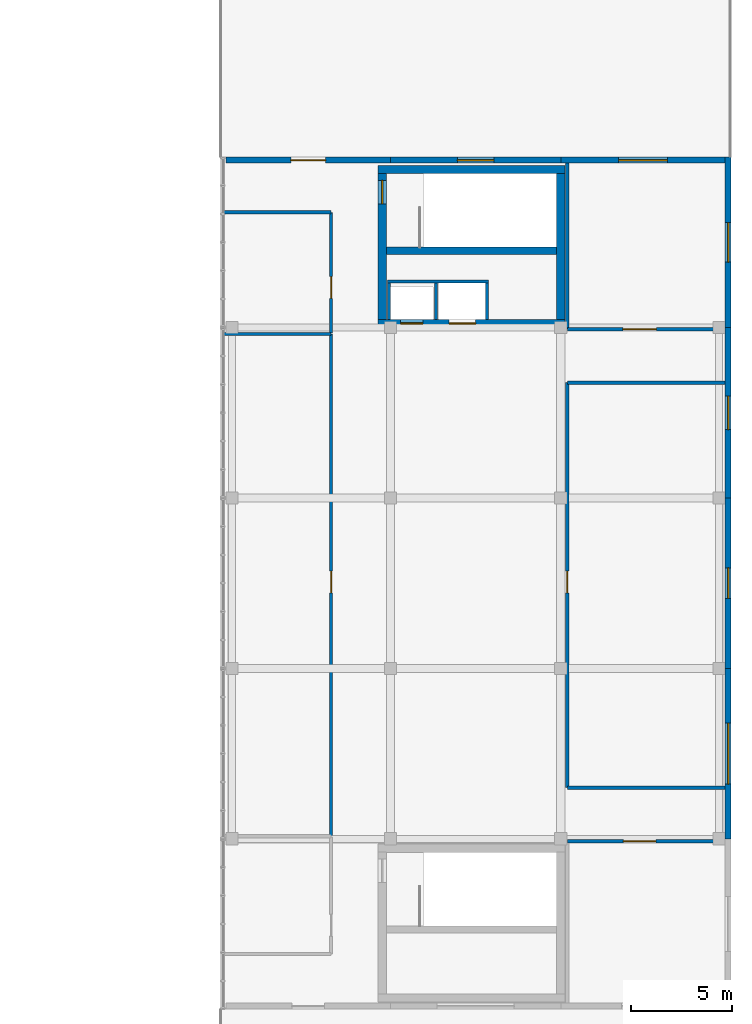
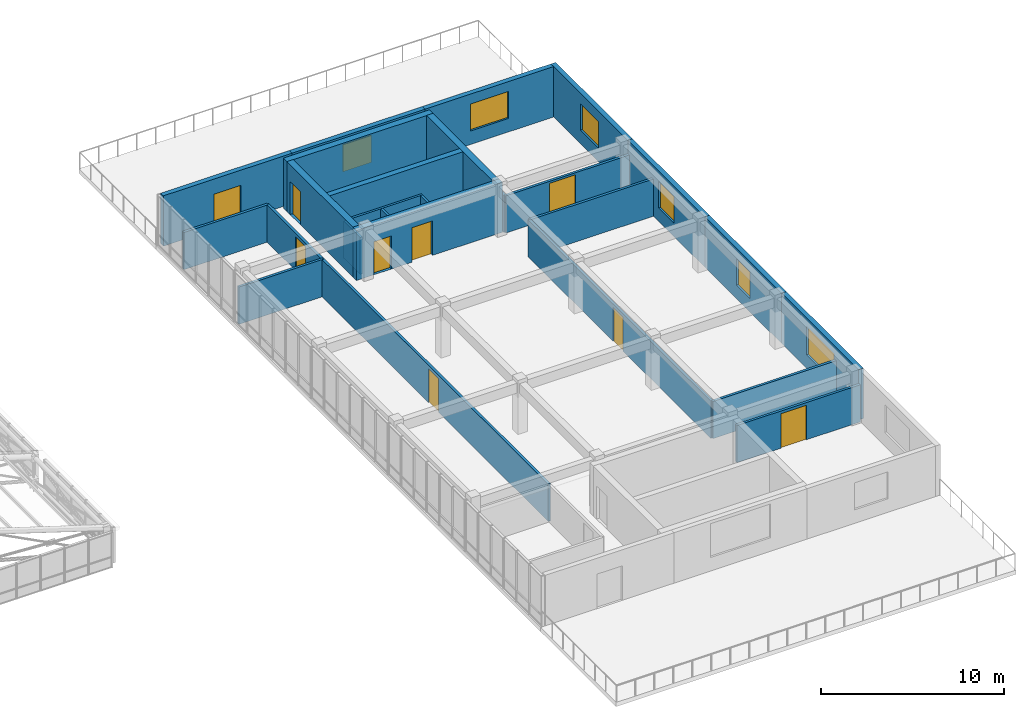
# One storey, part 140 of 144: 26 walls, 9 doors, 6 windows, 15 openings.
"""IFC4 building model written with IfcOpenShell, lengths in metres."""

from ifc_helpers import new_model, si_unit, direction, frame, frame_2d, origin, place, context, subcontext, project, spatial, rectangle, extrude, material, layer, layer_set, type_object, element, fill, save


model = new_model("IFC4")

# Units and contexts
model_context = context("Model", 3, precision=1e-05, world=origin(), true_north=direction((0.0, 1.0)))
body_context = subcontext(model_context, "Body", "Model", "MODEL_VIEW")
ifc_project = project(units=[si_unit("LENGTHUNIT", "METRE"), si_unit("AREAUNIT", "SQUARE_METRE"), si_unit("VOLUMEUNIT", "CUBIC_METRE"), si_unit("PLANEANGLEUNIT", "RADIAN"), si_unit("MASSUNIT", "GRAM", prefix="KILO")], contexts=[model_context])

# Site, building, storey
site_placement = place(None, origin())
site = spatial("IfcSite", under=ifc_project, at=site_placement, CompositionType="ELEMENT")
building_placement = place(site_placement, origin())
building = spatial("IfcBuilding", under=site, at=building_placement, Name="Zayran Congress Hotel", CompositionType="ELEMENT")
storey_placement = place(building_placement, frame((0.0, 0.0, 19.199951171875)))
storey = spatial("IfcBuildingStorey", under=building, at=storey_placement, Name="L04", CompositionType="ELEMENT", Elevation=19.199951171875)

# Wall, opening, door
ifc_material_1 = material(Name="Ajlun white limestone and insulated concrete C32/40", Category="masonry")
ifc_layer_1 = layer(ifc_material_1, 0.300048828125)
ifc_layer_set_1 = layer_set([ifc_layer_1], Name="Ajlun white limestone and insulated concrete C32/40")
wall_type_1 = type_object("IfcWallType", Name="WL-EX-300", PredefinedType="SOLIDWALL", material=ifc_layer_set_1)
wall_1_placement = place(storey_placement, frame((109.5, 92.64990234375, 0.0), z_axis=(0.0, 0.0, 1.0), x_axis=(1.0, 0.0, 0.0)))
wall_1 = element("IfcWall", 1, at=wall_1_placement, inside=storey, type_object=wall_type_1, Name="EW-V4-N-L04-0", PredefinedType="SOLIDWALL", context=body_context, shape_type="SweptSolid", body=[
    extrude(rectangle(XDim=8.10009765625, YDim=0.300048828125, at=frame_2d((4.050048828125, 0.0))), origin(), (0.0, 0.0, 1.0), 3.360107421875),
])
opening_1_placement = place(wall_1_placement, frame((3.18994140625, 0.0, 0.0)))
opening_1 = element("IfcOpeningElement", 2, at=opening_1_placement, cuts=wall_1, Name="Opening DEX-07", PredefinedType="OPENING", context=body_context, shape_type="SweptSolid", body=[
    extrude(rectangle(XDim=1.719970703125, YDim=2.35009765625, at=frame_2d((0.85986328125, 1.175048828125))), frame((0.0, 0.159912109375, 0.0), z_axis=(0.0, -1.0, 0.0), x_axis=(1.0, 0.0, 0.0)), (0.0, 0.0, 1.0), 0.320068359375),
])
ifc_material_2 = material(Name="Anodised aluminium garden terrace door", Category="aluminium")
door_type_1 = type_object("IfcDoorType", Name="TP-DEX-07", OperationType="DOUBLE_DOOR_SINGLE_SWING", PredefinedType="DOOR", material=ifc_material_2)
door_1_placement = place(opening_1_placement, origin())
door_1 = element("IfcDoor", 3, at=door_1_placement, inside=storey, type_object=door_type_1, Name="V4 L04 N Terrace Access Door", OperationType="DOUBLE_DOOR_SINGLE_SWING", OverallHeight=2.35009765625, OverallWidth=1.719970703125, PredefinedType="DOOR", context=body_context, shape_type="SweptSolid", body=[
    extrude(rectangle(XDim=1.719970703125, YDim=2.35009765625, at=frame_2d((0.85986328125, 1.175048828125))), frame((0.0, 0.02490234375, 0.0), z_axis=(0.0, -1.0, 0.0), x_axis=(1.0, 0.0, 0.0)), (0.0, 0.0, 1.0), 0.050048828125),
])
fill(opening_1, door_1)

# Wall, opening, window
wall_2_placement = place(storey_placement, frame((117.60009765625, 92.64990234375, 0.0), z_axis=(0.0, 0.0, 1.0), x_axis=(1.0, 0.0, 0.0)))
wall_2 = element("IfcWall", 4, at=wall_2_placement, inside=storey, type_object=wall_type_1, Name="EW-V4-N-L04-1", PredefinedType="SOLIDWALL", context=body_context, shape_type="SweptSolid", body=[
    extrude(rectangle(XDim=8.39990234375, YDim=0.300048828125, at=frame_2d((4.199951171875, 0.0))), origin(), (0.0, 0.0, 1.0), 3.360107421875),
])
opening_2_placement = place(wall_2_placement, frame((3.300048828125, 0.0, 0.89990234375)))
opening_2 = element("IfcOpeningElement", 5, at=opening_2_placement, cuts=wall_2, Name="Opening WN-01", PredefinedType="OPENING", context=body_context, shape_type="SweptSolid", body=[
    extrude(rectangle(XDim=1.800048828125, YDim=1.800048828125, at=frame_2d((0.89990234375, 0.89990234375))), frame((0.0, 0.159912109375, 0.0), z_axis=(0.0, -1.0, 0.0), x_axis=(1.0, 0.0, 0.0)), (0.0, 0.0, 1.0), 0.320068359375),
])
ifc_material_3 = material(Name="Anodised aluminium and low-E insulated glass", Category="aluminium")
window_type_1 = type_object("IfcWindowType", Name="TP-WN-01", PartitioningType="SINGLE_PANEL", PredefinedType="WINDOW", material=ifc_material_3)
window_1_placement = place(opening_2_placement, origin())
window_1 = element("IfcWindow", 6, at=window_1_placement, inside=storey, type_object=window_type_1, Name="WIN-V4-0163", OverallHeight=1.800048828125, OverallWidth=1.800048828125, PartitioningType="SINGLE_PANEL", PredefinedType="WINDOW", context=body_context, shape_type="SweptSolid", body=[
    extrude(rectangle(XDim=1.800048828125, YDim=1.800048828125, at=frame_2d((0.89990234375, 0.89990234375))), frame((0.0, 0.030029296875, 0.0), z_axis=(0.0, -1.0, 0.0), x_axis=(1.0, 0.0, 0.0)), (0.0, 0.0, 1.0), 0.06005859375),
])
fill(opening_2, window_1)

wall_3_placement = place(storey_placement, frame((126.0, 92.64990234375, 0.0), z_axis=(0.0, 0.0, 1.0), x_axis=(1.0, 0.0, 0.0)))
wall_3 = element("IfcWall", 7, at=wall_3_placement, inside=storey, type_object=wall_type_1, Name="EW-V4-N-L04-2", PredefinedType="SOLIDWALL", context=body_context, shape_type="SweptSolid", body=[
    extrude(rectangle(XDim=8.10009765625, YDim=0.300048828125, at=frame_2d((4.050048828125, 0.0))), origin(), (0.0, 0.0, 1.0), 3.360107421875),
])
opening_3_placement = place(wall_3_placement, frame((2.85009765625, 0.0, 0.89990234375)))
opening_3 = element("IfcOpeningElement", 8, at=opening_3_placement, cuts=wall_3, Name="Opening WN-03", PredefinedType="OPENING", context=body_context, shape_type="SweptSolid", body=[
    extrude(rectangle(XDim=2.39990234375, YDim=1.800048828125, at=frame_2d((1.199951171875, 0.89990234375))), frame((0.0, 0.159912109375, 0.0), z_axis=(0.0, -1.0, 0.0), x_axis=(1.0, 0.0, 0.0)), (0.0, 0.0, 1.0), 0.320068359375),
])
window_type_2 = type_object("IfcWindowType", Name="TP-WN-03", PartitioningType="DOUBLE_PANEL_VERTICAL", PredefinedType="WINDOW", material=ifc_material_3)
window_2_placement = place(opening_3_placement, origin())
window_2 = element("IfcWindow", 9, at=window_2_placement, inside=storey, type_object=window_type_2, Name="WIN-V4-0165", OverallHeight=1.800048828125, OverallWidth=2.39990234375, PartitioningType="SINGLE_PANEL", PredefinedType="WINDOW", context=body_context, shape_type="SweptSolid", body=[
    extrude(rectangle(XDim=2.39990234375, YDim=1.800048828125, at=frame_2d((1.199951171875, 0.89990234375))), frame((0.0, 0.030029296875, 0.0), z_axis=(0.0, -1.0, 0.0), x_axis=(1.0, 0.0, 0.0)), (0.0, 0.0, 1.0), 0.06005859375),
])
fill(opening_3, window_2)

wall_4_placement = place(storey_placement, frame((134.25, 67.60009765625, 0.0), z_axis=(0.0, 0.0, 1.0), x_axis=(0.0, -1.0, 0.0)))
wall_4 = element("IfcWall", 10, at=wall_4_placement, inside=storey, type_object=wall_type_1, Name="EW-V4-E-L04-1", PredefinedType="SOLIDWALL", context=body_context, shape_type="SweptSolid", body=[
    extrude(rectangle(XDim=8.400146484375, YDim=0.300048828125, at=frame_2d((4.2001953125, 0.0))), origin(), (0.0, 0.0, 1.0), 3.360107421875),
])
opening_4_placement = place(wall_4_placement, frame((2.699951171875, 0.0, 0.89990234375)))
opening_4 = element("IfcOpeningElement", 11, at=opening_4_placement, cuts=wall_4, Name="Opening WN-05", PredefinedType="OPENING", context=body_context, shape_type="SweptSolid", body=[
    extrude(rectangle(XDim=3.0, YDim=1.89990234375, at=frame_2d((1.5, 0.949951171875))), frame((0.0, 0.159912109375, 0.0), z_axis=(0.0, -1.0, 0.0), x_axis=(1.0, 0.0, 0.0)), (0.0, 0.0, 1.0), 0.320068359375),
])
window_type_3 = type_object("IfcWindowType", Name="TP-WN-05", PartitioningType="TRIPLE_PANEL_VERTICAL", PredefinedType="WINDOW", material=ifc_material_3)
window_3_placement = place(opening_4_placement, origin())
window_3 = element("IfcWindow", 12, at=window_3_placement, inside=storey, type_object=window_type_3, Name="WIN-V4-0167", OverallHeight=1.89990234375, OverallWidth=3.0, PartitioningType="SINGLE_PANEL", PredefinedType="WINDOW", context=body_context, shape_type="SweptSolid", body=[
    extrude(rectangle(XDim=3.0, YDim=1.89990234375, at=frame_2d((1.5, 0.949951171875))), frame((0.0, 0.030029296875, 0.0), z_axis=(0.0, -1.0, 0.0), x_axis=(1.0, 0.0, 0.0)), (0.0, 0.0, 1.0), 0.06005859375),
])
fill(opening_4, window_3)

wall_5_placement = place(storey_placement, frame((134.25, 76.0, 0.0), z_axis=(0.0, 0.0, 1.0), x_axis=(0.0, -1.0, 0.0)))
wall_5 = element("IfcWall", 13, at=wall_5_placement, inside=storey, type_object=wall_type_1, Name="EW-V4-E-L04-2", PredefinedType="SOLIDWALL", context=body_context, shape_type="SweptSolid", body=[
    extrude(rectangle(XDim=8.39990234375, YDim=0.300048828125, at=frame_2d((4.199951171875, 0.0))), origin(), (0.0, 0.0, 1.0), 3.360107421875),
])
opening_5_placement = place(wall_5_placement, frame((3.449951171875, 0.0, 0.89990234375)))
opening_5 = element("IfcOpeningElement", 14, at=opening_5_placement, cuts=wall_5, Name="Opening WN-06", PredefinedType="OPENING", context=body_context, shape_type="SweptSolid", body=[
    extrude(rectangle(XDim=1.5, YDim=1.75, at=frame_2d((0.75, 0.875))), frame((0.0, 0.159912109375, 0.0), z_axis=(0.0, -1.0, 0.0), x_axis=(1.0, 0.0, 0.0)), (0.0, 0.0, 1.0), 0.320068359375),
])
window_type_4 = type_object("IfcWindowType", Name="TP-WN-06", PartitioningType="SINGLE_PANEL", PredefinedType="WINDOW", material=ifc_material_3)
window_4_placement = place(opening_5_placement, origin())
window_4 = element("IfcWindow", 15, at=window_4_placement, inside=storey, type_object=window_type_4, Name="WIN-V4-0168", OverallHeight=1.75, OverallWidth=1.5, PartitioningType="SINGLE_PANEL", PredefinedType="WINDOW", context=body_context, shape_type="SweptSolid", body=[
    extrude(rectangle(XDim=1.5, YDim=1.75, at=frame_2d((0.75, 0.875))), frame((0.0, 0.030029296875, 0.0), z_axis=(0.0, -1.0, 0.0), x_axis=(1.0, 0.0, 0.0)), (0.0, 0.0, 1.0), 0.06005859375),
])
fill(opening_5, window_4)

wall_6_placement = place(storey_placement, frame((134.25, 84.39990234375, 0.0), z_axis=(0.0, 0.0, 1.0), x_axis=(0.0, -1.0, 0.0)))
wall_6 = element("IfcWall", 16, at=wall_6_placement, inside=storey, type_object=wall_type_1, Name="EW-V4-E-L04-3", PredefinedType="SOLIDWALL", context=body_context, shape_type="SweptSolid", body=[
    extrude(rectangle(XDim=8.39990234375, YDim=0.300048828125, at=frame_2d((4.199951171875, 0.0))), origin(), (0.0, 0.0, 1.0), 3.360107421875),
])
opening_6_placement = place(wall_6_placement, frame((3.375, 0.0, 0.89990234375)))
opening_6 = element("IfcOpeningElement", 17, at=opening_6_placement, cuts=wall_6, Name="Opening WN-07", PredefinedType="OPENING", context=body_context, shape_type="SweptSolid", body=[
    extrude(rectangle(XDim=1.64990234375, YDim=1.75, at=frame_2d((0.824951171875, 0.875))), frame((0.0, 0.159912109375, 0.0), z_axis=(0.0, -1.0, 0.0), x_axis=(1.0, 0.0, 0.0)), (0.0, 0.0, 1.0), 0.320068359375),
])
window_type_5 = type_object("IfcWindowType", Name="TP-WN-07", PartitioningType="SINGLE_PANEL", PredefinedType="WINDOW", material=ifc_material_3)
window_5_placement = place(opening_6_placement, origin())
window_5 = element("IfcWindow", 18, at=window_5_placement, inside=storey, type_object=window_type_5, Name="WIN-V4-0169", OverallHeight=1.75, OverallWidth=1.64990234375, PartitioningType="SINGLE_PANEL", PredefinedType="WINDOW", context=body_context, shape_type="SweptSolid", body=[
    extrude(rectangle(XDim=1.64990234375, YDim=1.75, at=frame_2d((0.824951171875, 0.875))), frame((0.0, 0.030029296875, 0.0), z_axis=(0.0, -1.0, 0.0), x_axis=(1.0, 0.0, 0.0)), (0.0, 0.0, 1.0), 0.06005859375),
])
fill(opening_6, window_5)

wall_7_placement = place(storey_placement, frame((134.25, 92.800048828125, 0.0), z_axis=(0.0, 0.0, 1.0), x_axis=(0.0, -1.0, 0.0)))
wall_7 = element("IfcWall", 19, at=wall_7_placement, inside=storey, type_object=wall_type_1, Name="EW-V4-E-L04-4", PredefinedType="SOLIDWALL", context=body_context, shape_type="SweptSolid", body=[
    extrude(rectangle(XDim=8.400146484375, YDim=0.300048828125, at=frame_2d((4.2001953125, 0.0))), origin(), (0.0, 0.0, 1.0), 3.360107421875),
])
opening_7_placement = place(wall_7_placement, frame((3.22509765625, 0.0, 0.89990234375)))
opening_7 = element("IfcOpeningElement", 20, at=opening_7_placement, cuts=wall_7, Name="Opening WN-08", PredefinedType="OPENING", context=body_context, shape_type="SweptSolid", body=[
    extrude(rectangle(XDim=1.949951171875, YDim=1.75, at=frame_2d((0.97509765625, 0.875))), frame((0.0, 0.159912109375, 0.0), z_axis=(0.0, -1.0, 0.0), x_axis=(1.0, 0.0, 0.0)), (0.0, 0.0, 1.0), 0.320068359375),
])
window_type_6 = type_object("IfcWindowType", Name="TP-WN-08", PartitioningType="DOUBLE_PANEL_VERTICAL", PredefinedType="WINDOW", material=ifc_material_3)
window_6_placement = place(opening_7_placement, origin())
window_6 = element("IfcWindow", 21, at=window_6_placement, inside=storey, type_object=window_type_6, Name="WIN-V4-0170", OverallHeight=1.75, OverallWidth=1.949951171875, PartitioningType="SINGLE_PANEL", PredefinedType="WINDOW", context=body_context, shape_type="SweptSolid", body=[
    extrude(rectangle(XDim=1.949951171875, YDim=1.75, at=frame_2d((0.97509765625, 0.875))), frame((0.0, 0.030029296875, 0.0), z_axis=(0.0, -1.0, 0.0), x_axis=(1.0, 0.0, 0.0)), (0.0, 0.0, 1.0), 0.06005859375),
])
fill(opening_7, window_6)

# Wall, openings, doors
ifc_material_4 = material(Name="Concrete C40/50", Category="concrete")
ifc_layer_2 = layer(ifc_material_4, 0.39990234375)
ifc_layer_set_2 = layer_set([ifc_layer_2], Name="Concrete C40/50")
wall_type_2 = type_object("IfcWallType", Name="WL-SH-400", PredefinedType="SHEAR", material=ifc_layer_set_2)
wall_8_placement = place(storey_placement, frame((117.0, 84.60009765625, 0.0), z_axis=(0.0, 0.0, 1.0), x_axis=(1.0, 0.0, 0.0)))
wall_8 = element("IfcWall", 22, at=wall_8_placement, inside=storey, type_object=wall_type_2, Name="CWALL-C-V4N-L04-S", PredefinedType="SHEAR", context=body_context, shape_type="SweptSolid", body=[
    extrude(rectangle(XDim=9.199951171875, YDim=0.39990234375, at=frame_2d((4.60009765625, 0.0))), origin(), (0.0, 0.0, 1.0), 3.320068359375),
])
opening_8_placement = place(wall_8_placement, frame((1.10009765625, 0.0, 0.0)))
opening_8 = element("IfcOpeningElement", 23, at=opening_8_placement, cuts=wall_8, Name="Opening LD-PL06", PredefinedType="OPENING", context=body_context, shape_type="SweptSolid", body=[
    extrude(rectangle(XDim=1.10009765625, YDim=2.199951171875, at=frame_2d((0.550048828125, 1.10009765625))), frame((0.0, 0.2099609375, 0.0), z_axis=(0.0, -1.0, 0.0), x_axis=(1.0, 0.0, 0.0)), (0.0, 0.0, 1.0), 0.419921875),
])
opening_9_placement = place(wall_8_placement, frame((3.5, 0.0, 0.0)))
opening_9 = element("IfcOpeningElement", 24, at=opening_9_placement, cuts=wall_8, Name="Opening LD-SV02", PredefinedType="OPENING", context=body_context, shape_type="SweptSolid", body=[
    extrude(rectangle(XDim=1.300048828125, YDim=2.300048828125, at=frame_2d((0.64990234375, 1.14990234375))), frame((0.0, 0.2099609375, 0.0), z_axis=(0.0, -1.0, 0.0), x_axis=(1.0, 0.0, 0.0)), (0.0, 0.0, 1.0), 0.419921875),
])
ifc_material_5 = material(Name="Brushed stainless steel sliding lift landing door", Category="steel")
door_type_2 = type_object("IfcDoorType", Name="TP-DR-LD-01", OperationType="DOUBLE_DOOR_SLIDING", PredefinedType="DOOR", material=ifc_material_5)
door_2_placement = place(opening_8_placement, origin())
door_2 = element("IfcDoor", 25, at=door_2_placement, inside=storey, type_object=door_type_2, Name="Lift PL-06 Sliding Landing Door L04", OperationType="DOUBLE_DOOR_SLIDING", OverallHeight=2.199951171875, OverallWidth=1.10009765625, PredefinedType="DOOR", context=body_context, shape_type="SweptSolid", body=[
    extrude(rectangle(XDim=1.10009765625, YDim=2.199951171875, at=frame_2d((0.550048828125, 1.10009765625))), frame((0.0, 0.02490234375, 0.0), z_axis=(0.0, -1.0, 0.0), x_axis=(1.0, 0.0, 0.0)), (0.0, 0.0, 1.0), 0.050048828125),
])
fill(opening_8, door_2)
ifc_material_6 = material(Name="Heavy-duty stainless steel service lift landing door", Category="steel")
door_type_3 = type_object("IfcDoorType", Name="TP-DR-LD-03", OperationType="DOUBLE_DOOR_SLIDING", PredefinedType="DOOR", material=ifc_material_6)
door_3_placement = place(opening_9_placement, origin())
door_3 = element("IfcDoor", 26, at=door_3_placement, inside=storey, type_object=door_type_3, Name="Lift SV-02 Sliding Landing Door L04", OperationType="DOUBLE_DOOR_SLIDING", OverallHeight=2.300048828125, OverallWidth=1.300048828125, PredefinedType="DOOR", context=body_context, shape_type="SweptSolid", body=[
    extrude(rectangle(XDim=1.300048828125, YDim=2.300048828125, at=frame_2d((0.64990234375, 1.14990234375))), frame((0.0, 0.02490234375, 0.0), z_axis=(0.0, -1.0, 0.0), x_axis=(1.0, 0.0, 0.0)), (0.0, 0.0, 1.0), 0.050048828125),
])
fill(opening_9, door_3)

# Wall
wall_9_placement = place(storey_placement, frame((126.199951171875, 92.18505859375, 0.0), z_axis=(0.0, 0.0, 1.0), x_axis=(-1.0, 0.0, 0.0)))
element("IfcWall", 27, at=wall_9_placement, inside=storey, type_object=wall_type_2, Name="CWALL-C-V4N-L04-N", PredefinedType="SHEAR", context=body_context, shape_type="SweptSolid", body=[
    extrude(rectangle(XDim=9.199951171875, YDim=0.39990234375, at=frame_2d((4.60009765625, 0.0))), origin(), (0.0, 0.0, 1.0), 3.320068359375),
])

# Wall, opening, door
wall_10_placement = place(storey_placement, frame((117.199951171875, 92.0, 0.0), z_axis=(0.0, 0.0, 1.0), x_axis=(0.0, -1.0, 0.0)))
wall_10 = element("IfcWall", 28, at=wall_10_placement, inside=storey, type_object=wall_type_2, Name="CWALL-C-V4N-L04-W", PredefinedType="SHEAR", context=body_context, shape_type="SweptSolid", body=[
    extrude(rectangle(XDim=7.199951171875, YDim=0.39990234375, at=frame_2d((3.60009765625, 0.0))), origin(), (0.0, 0.0, 1.0), 3.320068359375),
])
opening_10_placement = place(wall_10_placement, frame((0.35009765625, 0.0, 0.0)))
opening_10 = element("IfcOpeningElement", 29, at=opening_10_placement, cuts=wall_10, Name="Opening DR-FD-90", PredefinedType="OPENING", context=body_context, shape_type="SweptSolid", body=[
    extrude(rectangle(XDim=1.14990234375, YDim=2.199951171875, at=frame_2d((0.574951171875, 1.10009765625))), frame((0.0, 0.2099609375, 0.0), z_axis=(0.0, -1.0, 0.0), x_axis=(1.0, 0.0, 0.0)), (0.0, 0.0, 1.0), 0.419921875),
])
ifc_material_7 = material(Name="Painted steel fire door assembly", Category="steel")
door_type_4 = type_object("IfcDoorType", Name="TP-DR-FD-90", OperationType="NOTDEFINED", PredefinedType="DOOR", material=ifc_material_7)
door_4_placement = place(opening_10_placement, origin())
door_4 = element("IfcDoor", 30, at=door_4_placement, inside=storey, type_object=door_type_4, Name="ST-07 Exit Stair Door L04", OperationType="SINGLE_SWING_LEFT", OverallHeight=2.199951171875, OverallWidth=1.14990234375, PredefinedType="DOOR", context=body_context, shape_type="SweptSolid", body=[
    extrude(rectangle(XDim=1.14990234375, YDim=2.199951171875, at=frame_2d((0.574951171875, 1.10009765625))), frame((0.0, 0.02490234375, 0.0), z_axis=(0.0, -1.0, 0.0), x_axis=(1.0, 0.0, 0.0)), (0.0, 0.0, 1.0), 0.050048828125),
])
fill(opening_10, door_4)

# Walls
wall_11_placement = place(storey_placement, frame((126.0, 84.800048828125, 0.0), z_axis=(0.0, 0.0, 1.0), x_axis=(0.0, 1.0, 0.0)))
element("IfcWall", 31, at=wall_11_placement, inside=storey, type_object=wall_type_2, Name="CWALL-C-V4N-L04-E", PredefinedType="SHEAR", context=body_context, shape_type="SweptSolid", body=[
    extrude(rectangle(XDim=7.199951171875, YDim=0.39990234375, at=frame_2d((3.60009765625, 0.0))), origin(), (0.0, 0.0, 1.0), 3.320068359375),
])
ifc_layer_3 = layer(ifc_material_4, 0.35009765625)
ifc_layer_set_3 = layer_set([ifc_layer_3], Name="Concrete C40/50")
wall_type_3 = type_object("IfcWallType", Name="WL-SH-350", PredefinedType="SHEAR", material=ifc_layer_set_3)
wall_12_placement = place(storey_placement, frame((117.39990234375, 88.18505859375, 0.0), z_axis=(0.0, 0.0, 1.0), x_axis=(1.0, 0.0, 0.0)))
element("IfcWall", 32, at=wall_12_placement, inside=storey, type_object=wall_type_3, Name="CWALL-C-V4N-L04-SPN", PredefinedType="SHEAR", context=body_context, shape_type="SweptSolid", body=[
    extrude(rectangle(XDim=8.400146484375, YDim=0.35009765625, at=frame_2d((4.2001953125, 0.0))), origin(), (0.0, 0.0, 1.0), 3.320068359375),
])

# Wall, opening, door
ifc_material_8 = material(Name="Acoustic twin-stud gypsum partition", Category="gypsum")
ifc_layer_4 = layer(ifc_material_8, 0.159912109375)
ifc_layer_set_4 = layer_set([ifc_layer_4], Name="Acoustic twin-stud gypsum partition")
wall_type_4 = type_object("IfcWallType", Name="WL-PT-160", PredefinedType="PARTITIONING", material=ifc_layer_set_4)
wall_13_placement = place(storey_placement, frame((114.679931640625, 59.320068359375, 0.0), z_axis=(0.0, 0.0, 1.0), x_axis=(0.0, 1.0, 0.0)))
wall_13 = element("IfcWall", 33, at=wall_13_placement, inside=storey, type_object=wall_type_4, Name="IW-L04-0609", PredefinedType="PARTITIONING", context=body_context, shape_type="SweptSolid", body=[
    extrude(rectangle(XDim=24.760009765625, YDim=0.159912109375, at=frame_2d((12.3798828125, 0.0))), origin(), (0.0, 0.0, 1.0), 2.47998046875),
])
opening_11_placement = place(wall_13_placement, frame((12.0, 0.0, 0.0)))
opening_11 = element("IfcOpeningElement", 34, at=opening_11_placement, cuts=wall_13, Name="Opening DR-MT-01", PredefinedType="OPENING", context=body_context, shape_type="SweptSolid", body=[
    extrude(rectangle(XDim=1.080078125, YDim=2.25, at=frame_2d((0.5400390625, 1.125))), frame((0.0, 0.08984375, 0.0), z_axis=(0.0, -1.0, 0.0), x_axis=(1.0, 0.0, 0.0)), (0.0, 0.0, 1.0), 0.179931640625),
])
ifc_material_9 = material(Name="Acoustic timber seminar room door", Category="wood")
door_type_5 = type_object("IfcDoorType", Name="TP-DR-MT-01", OperationType="NOTDEFINED", PredefinedType="DOOR", material=ifc_material_9)
door_5_placement = place(opening_11_placement, origin())
door_5 = element("IfcDoor", 35, at=door_5_placement, inside=storey, type_object=door_type_5, Name="Delegation Lounge Pavilion Door", OperationType="SINGLE_SWING_RIGHT", OverallHeight=2.25, OverallWidth=1.080078125, PredefinedType="DOOR", context=body_context, shape_type="SweptSolid", body=[
    extrude(rectangle(XDim=1.080078125, YDim=2.25, at=frame_2d((0.5400390625, 1.125))), frame((0.0, 0.02490234375, 0.0), z_axis=(0.0, -1.0, 0.0), x_axis=(1.0, 0.0, 0.0)), (0.0, 0.0, 1.0), 0.050048828125),
])
fill(opening_11, door_5)

wall_14_placement = place(storey_placement, frame((126.320068359375, 61.719970703125, 0.0), z_axis=(0.0, 0.0, 1.0), x_axis=(0.0, 1.0, 0.0)))
wall_14 = element("IfcWall", 36, at=wall_14_placement, inside=storey, type_object=wall_type_4, Name="IW-L04-0610", PredefinedType="PARTITIONING", context=body_context, shape_type="SweptSolid", body=[
    extrude(rectangle(XDim=19.9599609375, YDim=0.159912109375, at=frame_2d((9.97998046875, 0.0))), origin(), (0.0, 0.0, 1.0), 2.47998046875),
])
opening_12_placement = place(wall_14_placement, frame((9.60009765625, 0.0, 0.0)))
opening_12 = element("IfcOpeningElement", 37, at=opening_12_placement, cuts=wall_14, Name="Opening DR-MT-01", PredefinedType="OPENING", context=body_context, shape_type="SweptSolid", body=[
    extrude(rectangle(XDim=1.080078125, YDim=2.25, at=frame_2d((0.5400390625, 1.125))), frame((0.0, 0.08984375, 0.0), z_axis=(0.0, -1.0, 0.0), x_axis=(1.0, 0.0, 0.0)), (0.0, 0.0, 1.0), 0.179931640625),
])
door_6_placement = place(opening_12_placement, origin())
door_6 = element("IfcDoor", 38, at=door_6_placement, inside=storey, type_object=door_type_5, Name="Delegation Summit Salon East L04 Door", OperationType="SINGLE_SWING_LEFT", OverallHeight=2.25, OverallWidth=1.080078125, PredefinedType="DOOR", context=body_context, shape_type="SweptSolid", body=[
    extrude(rectangle(XDim=1.080078125, YDim=2.25, at=frame_2d((0.5400390625, 1.125))), frame((0.0, 0.02490234375, 0.0), z_axis=(0.0, -1.0, 0.0), x_axis=(1.0, 0.0, 0.0)), (0.0, 0.0, 1.0), 0.050048828125),
])
fill(opening_12, door_6)

wall_15_placement = place(storey_placement, frame((114.679931640625, 84.1201171875, 0.0), z_axis=(0.0, 0.0, 1.0), x_axis=(0.0, 1.0, 0.0)))
wall_15 = element("IfcWall", 39, at=wall_15_placement, inside=storey, type_object=wall_type_4, Name="IW-L04-0612", PredefinedType="PARTITIONING", context=body_context, shape_type="SweptSolid", body=[
    extrude(rectangle(XDim=5.9599609375, YDim=0.159912109375, at=frame_2d((2.97998046875, 0.0))), origin(), (0.0, 0.0, 1.0), 2.47998046875),
])
opening_13_placement = place(wall_15_placement, frame((1.714111328125, 0.0, 0.0)))
opening_13 = element("IfcOpeningElement", 40, at=opening_13_placement, cuts=wall_15, Name="Opening DR-MT-01", PredefinedType="OPENING", context=body_context, shape_type="SweptSolid", body=[
    extrude(rectangle(XDim=1.080078125, YDim=2.25, at=frame_2d((0.5400390625, 1.125))), frame((0.0, 0.08984375, 0.0), z_axis=(0.0, -1.0, 0.0), x_axis=(1.0, 0.0, 0.0)), (0.0, 0.0, 1.0), 0.179931640625),
])
door_7_placement = place(opening_13_placement, origin())
door_7 = element("IfcDoor", 41, at=door_7_placement, inside=storey, type_object=door_type_5, Name="Delegation North Salon L04 Door", OperationType="SINGLE_SWING_LEFT", OverallHeight=2.25, OverallWidth=1.080078125, PredefinedType="DOOR", context=body_context, shape_type="SweptSolid", body=[
    extrude(rectangle(XDim=1.080078125, YDim=2.25, at=frame_2d((0.5400390625, 1.125))), frame((0.0, 0.02490234375, 0.0), z_axis=(0.0, -1.0, 0.0), x_axis=(1.0, 0.0, 0.0)), (0.0, 0.0, 1.0), 0.050048828125),
])
fill(opening_13, door_7)

wall_16_placement = place(storey_placement, frame((126.320068359375, 59.080078125, 0.0), z_axis=(0.0, 0.0, 1.0), x_axis=(1.0, 0.0, 0.0)))
wall_16 = element("IfcWall", 42, at=wall_16_placement, inside=storey, type_object=wall_type_4, Name="IW-L04-0613", PredefinedType="PARTITIONING", context=body_context, shape_type="SweptSolid", body=[
    extrude(rectangle(XDim=7.780029296875, YDim=0.159912109375, at=frame_2d((3.89013671875, 0.0))), origin(), (0.0, 0.0, 1.0), 2.47998046875),
])
opening_14_placement = place(wall_16_placement, frame((2.76611328125, 0.0, 0.0)))
opening_14 = element("IfcOpeningElement", 43, at=opening_14_placement, cuts=wall_16, Name="Opening DR-MT-02", PredefinedType="OPENING", context=body_context, shape_type="SweptSolid", body=[
    extrude(rectangle(XDim=1.60009765625, YDim=2.300048828125, at=frame_2d((0.800048828125, 1.14990234375))), frame((0.0, 0.08984375, 0.0), z_axis=(0.0, -1.0, 0.0), x_axis=(1.0, 0.0, 0.0)), (0.0, 0.0, 1.0), 0.179931640625),
])
ifc_material_10 = material(Name="Double acoustic timber boardroom door", Category="wood")
door_type_6 = type_object("IfcDoorType", Name="TP-DR-MT-02", OperationType="DOUBLE_DOOR_SINGLE_SWING", PredefinedType="DOOR", material=ifc_material_10)
door_8_placement = place(opening_14_placement, origin())
door_8 = element("IfcDoor", 44, at=door_8_placement, inside=storey, type_object=door_type_6, Name="Delegation Dining Boardroom Door", OperationType="DOUBLE_DOOR_SINGLE_SWING", OverallHeight=2.300048828125, OverallWidth=1.60009765625, PredefinedType="DOOR", context=body_context, shape_type="SweptSolid", body=[
    extrude(rectangle(XDim=1.60009765625, YDim=2.300048828125, at=frame_2d((0.800048828125, 1.14990234375))), frame((0.0, 0.02490234375, 0.0), z_axis=(0.0, -1.0, 0.0), x_axis=(1.0, 0.0, 0.0)), (0.0, 0.0, 1.0), 0.050048828125),
])
fill(opening_14, door_8)

wall_17_placement = place(storey_placement, frame((126.320068359375, 84.320068359375, 0.0), z_axis=(0.0, 0.0, 1.0), x_axis=(1.0, 0.0, 0.0)))
wall_17 = element("IfcWall", 45, at=wall_17_placement, inside=storey, type_object=wall_type_4, Name="IW-L04-0614", PredefinedType="PARTITIONING", context=body_context, shape_type="SweptSolid", body=[
    extrude(rectangle(XDim=7.780029296875, YDim=0.159912109375, at=frame_2d((3.89013671875, 0.0))), origin(), (0.0, 0.0, 1.0), 2.47998046875),
])
opening_15_placement = place(wall_17_placement, frame((2.743896484375, 0.0, 0.0)))
opening_15 = element("IfcOpeningElement", 46, at=opening_15_placement, cuts=wall_17, Name="Opening DR-PL-01", PredefinedType="OPENING", context=body_context, shape_type="SweptSolid", body=[
    extrude(rectangle(XDim=1.64990234375, YDim=2.35009765625, at=frame_2d((0.824951171875, 1.175048828125))), frame((0.0, 0.08984375, 0.0), z_axis=(0.0, -1.0, 0.0), x_axis=(1.0, 0.0, 0.0)), (0.0, 0.0, 1.0), 0.179931640625),
])
ifc_material_11 = material(Name="Painted steel plant room double fire door", Category="steel")
door_type_7 = type_object("IfcDoorType", Name="TP-DR-PL-01", OperationType="DOUBLE_DOOR_SINGLE_SWING", PredefinedType="DOOR", material=ifc_material_11)
door_9_placement = place(opening_15_placement, origin())
door_9 = element("IfcDoor", 47, at=door_9_placement, inside=storey, type_object=door_type_7, Name="Breakout Plant Room L04 Door", OperationType="DOUBLE_DOOR_SINGLE_SWING", OverallHeight=2.35009765625, OverallWidth=1.64990234375, PredefinedType="DOOR", context=body_context, shape_type="SweptSolid", body=[
    extrude(rectangle(XDim=1.64990234375, YDim=2.35009765625, at=frame_2d((0.824951171875, 1.175048828125))), frame((0.0, 0.02490234375, 0.0), z_axis=(0.0, -1.0, 0.0), x_axis=(1.0, 0.0, 0.0)), (0.0, 0.0, 1.0), 0.050048828125),
])
fill(opening_15, door_9)

# Walls
wall_18_placement = place(storey_placement, frame((109.360107421875, 84.080078125, 0.0), z_axis=(0.0, 0.0, 1.0), x_axis=(1.0, 0.0, 0.0)))
element("IfcWall", 48, at=wall_18_placement, inside=storey, type_object=wall_type_4, Name="IW-L04-1930", PredefinedType="PARTITIONING", context=body_context, shape_type="SweptSolid", body=[
    extrude(rectangle(XDim=5.31982421875, YDim=0.159912109375, at=frame_2d((2.659912109375, 0.0))), origin(), (0.0, 0.0, 1.0), 2.47998046875),
])
for number, where, z_axis, x_axis, name in (
    (49, (126.320068359375, 61.719970703125, 0.0), (0.0, 0.0, 1.0), (1.0, 0.0, 0.0), "IW-L04-1931"),
    (50, (126.320068359375, 81.679931640625, 0.0), (0.0, 0.0, 1.0), (1.0, 0.0, 0.0), "IW-L04-1932"),
):
    element("IfcWall", number, at=place(storey_placement, frame(where, z_axis=z_axis, x_axis=x_axis)), inside=storey, type_object=wall_type_4, Name=name, PredefinedType="PARTITIONING", context=body_context, shape_type="SweptSolid", body=[
        extrude(rectangle(XDim=7.780029296875, YDim=0.159912109375, at=frame_2d((3.89013671875, 0.0))), origin(), (0.0, 0.0, 1.0), 2.47998046875),
    ])
wall_19_placement = place(storey_placement, frame((109.360107421875, 90.080078125, 0.0), z_axis=(0.0, 0.0, 1.0), x_axis=(1.0, 0.0, 0.0)))
element("IfcWall", 51, at=wall_19_placement, inside=storey, type_object=wall_type_4, Name="IW-L04-1934", PredefinedType="PARTITIONING", context=body_context, shape_type="SweptSolid", body=[
    extrude(rectangle(XDim=5.31982421875, YDim=0.159912109375, at=frame_2d((2.659912109375, 0.0))), origin(), (0.0, 0.0, 1.0), 2.47998046875),
])
wall_20_placement = place(storey_placement, frame((126.320068359375, 84.320068359375, 0.0), z_axis=(0.0, 0.0, 1.0), x_axis=(0.0, 1.0, 0.0)))
element("IfcWall", 52, at=wall_20_placement, inside=storey, type_object=wall_type_4, Name="IW-L04-1936", PredefinedType="PARTITIONING", context=body_context, shape_type="SweptSolid", body=[
    extrude(rectangle(XDim=8.179931640625, YDim=0.159912109375, at=frame_2d((4.08984375, 0.0))), origin(), (0.0, 0.0, 1.0), 2.47998046875),
])
ifc_material_12 = material(Name="Hospitality guestroom acoustic partition", Category="gypsum")
ifc_layer_5 = layer(ifc_material_12, 0.139892578125)
ifc_layer_set_5 = layer_set([ifc_layer_5], Name="Hospitality guestroom acoustic partition")
wall_type_5 = type_object("IfcWallType", Name="WL-PT-140", PredefinedType="PARTITIONING", material=ifc_layer_set_5)
for number, where, z_axis, x_axis, name in (
    (53, (117.530029296875, 84.800048828125, 0.0), (0.0, 0.0, 1.0), (0.0, 1.0, 0.0), "LSHW-C-V4N-L04-W"),
    (54, (119.85009765625, 84.800048828125, 0.0), (0.0, 0.0, 1.0), (0.0, 1.0, 0.0), "LSHW-C-V4N-L04-DIV1"),
    (55, (122.3701171875, 84.800048828125, 0.0), (0.0, 0.0, 1.0), (0.0, 1.0, 0.0), "LSHW-C-V4N-L04-E"),
):
    element("IfcWall", number, at=place(storey_placement, frame(where, z_axis=z_axis, x_axis=x_axis)), inside=storey, type_object=wall_type_5, Name=name, PredefinedType="PARTITIONING", context=body_context, shape_type="SweptSolid", body=[
        extrude(rectangle(XDim=1.800048828125, YDim=0.139892578125, at=frame_2d((0.89990234375, 0.0))), origin(), (0.0, 0.0, 1.0), 2.469970703125),
    ])
wall_21_placement = place(storey_placement, frame((117.4599609375, 86.669921875, 0.0), z_axis=(0.0, 0.0, 1.0), x_axis=(1.0, 0.0, 0.0)))
element("IfcWall", 56, at=wall_21_placement, inside=storey, type_object=wall_type_5, Name="LSHW-C-V4N-L04-N", PredefinedType="PARTITIONING", context=body_context, shape_type="SweptSolid", body=[
    extrude(rectangle(XDim=4.97998046875, YDim=0.139892578125, at=frame_2d((2.489990234375, 0.0))), origin(), (0.0, 0.0, 1.0), 2.469970703125),
])

save(model, "model.ifc")
